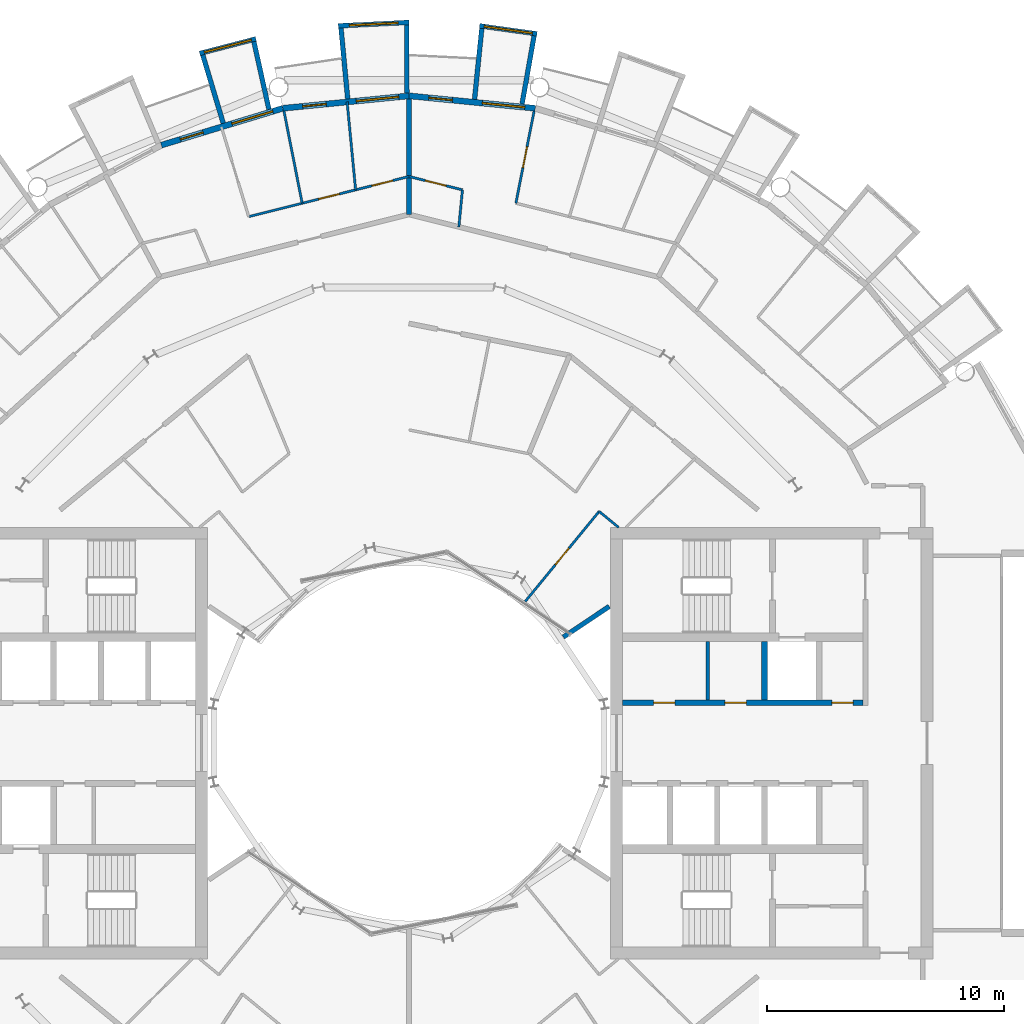
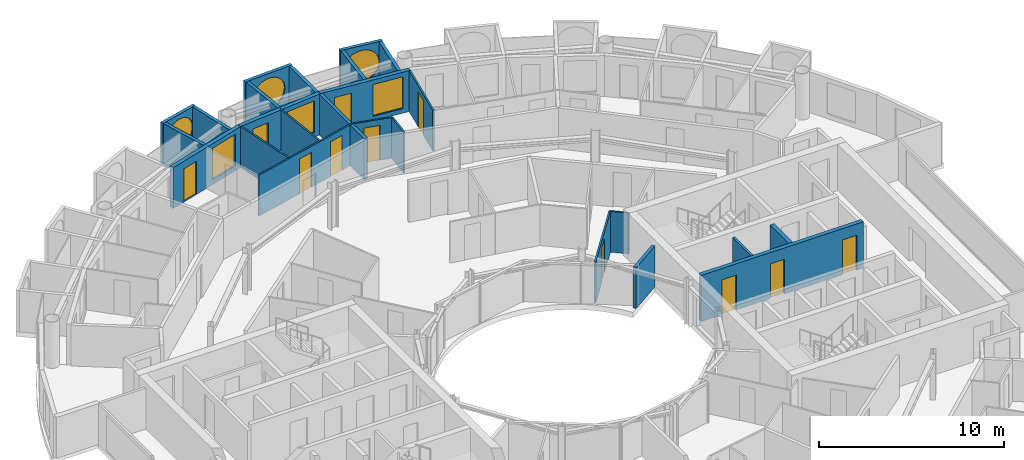
# One storey, part 21 of 27: 25 walls, 11 doors, 6 windows, 17 openings.
"""IFC4 building model written with IfcOpenShell, lengths in metres."""

from ifc_helpers import new_model, si_unit, direction, frame, frame_2d, origin, place, context, subcontext, project, spatial, rectangle, circle, extrude, material, layer, layer_set, type_object, element, fill, save


model = new_model("IFC4")

# Units and contexts
model_context = context("Model", 3, precision=1e-05, world=origin(), true_north=direction((0.0, 1.0)))
body_context = subcontext(model_context, "Body", "Model", "MODEL_VIEW")
ifc_project = project(units=[si_unit("LENGTHUNIT", "METRE"), si_unit("AREAUNIT", "SQUARE_METRE"), si_unit("VOLUMEUNIT", "CUBIC_METRE"), si_unit("PLANEANGLEUNIT", "RADIAN"), si_unit("MASSUNIT", "GRAM", prefix="KILO")], contexts=[model_context])

# Site, building, storey
site_placement = place(None, origin())
site = spatial("IfcSite", under=ifc_project, at=site_placement, CompositionType="ELEMENT")
building_placement = place(site_placement, origin())
building = spatial("IfcBuilding", under=site, at=building_placement, Name="Maasbend Ring Residences", CompositionType="ELEMENT")
storey_placement = place(building_placement, frame((0.0, 0.0, 164.64990234375)))
storey = spatial("IfcBuildingStorey", under=building, at=storey_placement, Name="L47", CompositionType="ELEMENT", Elevation=164.64990234375)

# Wall, openings, doors
ifc_material_1 = material(Name="Concrete C60/75", Category="concrete")
ifc_layer_1 = layer(ifc_material_1, 0.25)
ifc_layer_set_1 = layer_set([ifc_layer_1], Name="Concrete C60/75")
wall_type_1 = type_object("IfcWallType", Name="CORE WALL 250 C60/75", PredefinedType="SHEAR", material=ifc_layer_set_1)
wall_1_placement = place(storey_placement, frame((9.0, 1.699951171875, 0.0), z_axis=(0.0, 0.0, 1.0), x_axis=(1.0, 0.0, 0.0)))
wall_1 = element("IfcWall", 1, at=wall_1_placement, inside=storey, type_object=wall_type_1, Name="L47 core E wall SPN", PredefinedType="SHEAR", context=body_context, shape_type="SweptSolid", body=[
    extrude(rectangle(XDim=10.14990234375, YDim=0.25, at=frame_2d((5.074951171875, 0.0))), origin(), (0.0, 0.0, 1.0), 3.050048828125),
])
opening_1_placement = place(wall_1_placement, frame((1.3125, 0.0, 0.0)))
opening_1 = element("IfcOpeningElement", 2, at=opening_1_placement, cuts=wall_1, Name="Opening D-E4706", PredefinedType="OPENING", context=body_context, shape_type="SweptSolid", body=[
    extrude(rectangle(XDim=0.89990234375, YDim=2.300048828125, at=frame_2d((0.449951171875, 1.14990234375))), frame((0.0, 0.135009765625, 0.0), z_axis=(0.0, -1.0, 0.0), x_axis=(1.0, 0.0, 0.0)), (0.0, 0.0, 1.0), 0.27001953125),
])
opening_2_placement = place(wall_1_placement, frame((4.324951171875, 0.0, 0.0)))
opening_2 = element("IfcOpeningElement", 3, at=opening_2_placement, cuts=wall_1, Name="Opening D-E4707", PredefinedType="OPENING", context=body_context, shape_type="SweptSolid", body=[
    extrude(rectangle(XDim=0.89990234375, YDim=2.300048828125, at=frame_2d((0.449951171875, 1.14990234375))), frame((0.0, 0.135009765625, 0.0), z_axis=(0.0, -1.0, 0.0), x_axis=(1.0, 0.0, 0.0)), (0.0, 0.0, 1.0), 0.27001953125),
])
opening_3_placement = place(wall_1_placement, frame((8.83740234375, 0.0, 0.0)))
opening_3 = element("IfcOpeningElement", 4, at=opening_3_placement, cuts=wall_1, Name="Opening D-E4708", PredefinedType="OPENING", context=body_context, shape_type="SweptSolid", body=[
    extrude(rectangle(XDim=0.89990234375, YDim=2.300048828125, at=frame_2d((0.449951171875, 1.14990234375))), frame((0.0, 0.135009765625, 0.0), z_axis=(0.0, -1.0, 0.0), x_axis=(1.0, 0.0, 0.0)), (0.0, 0.0, 1.0), 0.27001953125),
])
ifc_material_2 = material(Name="Steel, powder coated", Category="steel")
door_type_1 = type_object("IfcDoorType", Name="ROOM DOOR 900 X 2300 FD30S", OperationType="NOTDEFINED", PredefinedType="DOOR", material=ifc_material_2)
door_1_placement = place(opening_1_placement, origin())
door_1 = element("IfcDoor", 5, at=door_1_placement, inside=storey, type_object=door_type_1, Name="Room door L47", OperationType="SINGLE_SWING_RIGHT", OverallHeight=2.300048828125, OverallWidth=0.89990234375, PredefinedType="DOOR", context=body_context, shape_type="SweptSolid", body=[
    extrude(rectangle(XDim=0.89990234375, YDim=2.300048828125, at=frame_2d((0.449951171875, 1.14990234375))), frame((0.0, 0.02490234375, 0.0), z_axis=(0.0, -1.0, 0.0), x_axis=(1.0, 0.0, 0.0)), (0.0, 0.0, 1.0), 0.050048828125),
])
fill(opening_1, door_1)
door_2_placement = place(opening_2_placement, origin())
door_2 = element("IfcDoor", 6, at=door_2_placement, inside=storey, type_object=door_type_1, Name="Room door L47", OperationType="SINGLE_SWING_RIGHT", OverallHeight=2.300048828125, OverallWidth=0.89990234375, PredefinedType="DOOR", context=body_context, shape_type="SweptSolid", body=[
    extrude(rectangle(XDim=0.89990234375, YDim=2.300048828125, at=frame_2d((0.449951171875, 1.14990234375))), frame((0.0, 0.02490234375, 0.0), z_axis=(0.0, -1.0, 0.0), x_axis=(1.0, 0.0, 0.0)), (0.0, 0.0, 1.0), 0.050048828125),
])
fill(opening_2, door_2)
door_3_placement = place(opening_3_placement, origin())
door_3 = element("IfcDoor", 7, at=door_3_placement, inside=storey, type_object=door_type_1, Name="Room door L47", OperationType="SINGLE_SWING_LEFT", OverallHeight=2.300048828125, OverallWidth=0.89990234375, PredefinedType="DOOR", context=body_context, shape_type="SweptSolid", body=[
    extrude(rectangle(XDim=0.89990234375, YDim=2.300048828125, at=frame_2d((0.449951171875, 1.14990234375))), frame((0.0, 0.02490234375, 0.0), z_axis=(0.0, -1.0, 0.0), x_axis=(1.0, 0.0, 0.0)), (0.0, 0.0, 1.0), 0.050048828125),
])
fill(opening_3, door_3)

# Wall, opening, window
ifc_material_3 = material(Name="Pale anodised aluminium panel", Category="aluminium")
ifc_layer_2 = layer(ifc_material_3, 0.199951171875)
ifc_layer_set_2 = layer_set([ifc_layer_2], Name="EW-BOX")
wall_type_2 = type_object("IfcWallType", Name="EW-BOX", PredefinedType="SOLIDWALL", material=ifc_layer_set_2)
wall_2_placement = place(storey_placement, frame((5.39794921875, 29.9169921875, -0.02978515625), z_axis=(0.0, 0.0, 1.0), x_axis=(-0.990462016113, 0.137786046596, 0.0)))
wall_2 = element("IfcWall", 8, at=wall_2_placement, inside=storey, type_object=wall_type_2, Name="Box front N09", PredefinedType="SOLIDWALL", context=body_context, shape_type="SweptSolid", body=[
    extrude(rectangle(XDim=2.4453125, YDim=0.199951171875, at=frame_2d((1.22265625, 0.0))), origin(), (0.0, 0.0, 1.0), 2.72998046875),
])
opening_4_placement = place(wall_2_placement, frame((0.182861328125, 0.0, 0.330078125)))
opening_4 = element("IfcOpeningElement", 9, at=opening_4_placement, cuts=wall_2, Name="Opening W-RD", PredefinedType="OPENING", context=body_context, shape_type="SweptSolid", body=[
    extrude(circle(Radius=1.0400390625, at=frame_2d((1.0400390625, 1.0400390625))), frame((0.0, 0.10986328125, 0.0), z_axis=(0.0, -1.0, 0.0), x_axis=(1.0, 0.0, 0.0)), (0.0, 0.0, 1.0), 0.219970703125),
])
ifc_material_4 = material(Name="Aluminium and clear glass", Category="aluminium")
window_type_1 = type_object("IfcWindowType", Name="W-RD", PartitioningType="SINGLE_PANEL", PredefinedType="WINDOW", material=ifc_material_4)
window_1_placement = place(opening_4_placement, origin())
window_1 = element("IfcWindow", 10, at=window_1_placement, inside=storey, type_object=window_type_1, Name="Round window N09", OverallHeight=2.080078125, OverallWidth=2.080078125, PartitioningType="SINGLE_PANEL", PredefinedType="WINDOW", context=body_context, shape_type="SweptSolid", body=[
    extrude(circle(Radius=1.0400390625, at=frame_2d((1.0400390625, 1.0400390625))), frame((0.0, 0.030029296875, 0.0), z_axis=(0.0, -1.0, 0.0), x_axis=(1.0, 0.0, 0.0)), (0.0, 0.0, 1.0), 0.06005859375),
])
fill(opening_4, window_1)

# Walls
wall_3_placement = place(storey_placement, frame((4.76904296875, 26.9560546875, -0.02978515625), z_axis=(0.0, 0.0, 1.0), x_axis=(0.174056778901, 0.984735618183, 0.0)))
element("IfcWall", 11, at=wall_3_placement, inside=storey, type_object=wall_type_2, Name="Box side wall N09 left", PredefinedType="SOLIDWALL", context=body_context, shape_type="SweptSolid", body=[
    extrude(rectangle(XDim=2.924560546875, YDim=0.199951171875, at=frame_2d((1.46240234375, 0.0))), origin(), (0.0, 0.0, 1.0), 2.72998046875),
])
wall_4_placement = place(storey_placement, frame((2.763916015625, 27.153076171875, -0.02978515625), z_axis=(0.0, 0.0, 1.0), x_axis=(0.101505487237, 0.994834979311, 0.0)))
element("IfcWall", 12, at=wall_4_placement, inside=storey, type_object=wall_type_2, Name="Box side wall N09 right", PredefinedType="SOLIDWALL", context=body_context, shape_type="SweptSolid", body=[
    extrude(rectangle(XDim=3.006591796875, YDim=0.199951171875, at=frame_2d((1.50341796875, 0.0))), origin(), (0.0, 0.0, 1.0), 2.72998046875),
])

# Wall, opening, window
wall_5_placement = place(storey_placement, frame((0.0048828125, 30.39990234375, -0.02978515625), z_axis=(0.0, 0.0, 1.0), x_axis=(-0.998794083011, -0.049095618353, 0.0)))
wall_5 = element("IfcWall", 13, at=wall_5_placement, inside=storey, type_object=wall_type_2, Name="Box front N11", PredefinedType="SOLIDWALL", context=body_context, shape_type="SweptSolid", body=[
    extrude(rectangle(XDim=2.99365234375, YDim=0.199951171875, at=frame_2d((1.496826171875, 0.0))), origin(), (0.0, 0.0, 1.0), 2.72998046875),
])
opening_5_placement = place(wall_5_placement, frame((0.45654296875, 0.0, 0.330078125)))
opening_5 = element("IfcOpeningElement", 14, at=opening_5_placement, cuts=wall_5, Name="Opening W-RD", PredefinedType="OPENING", context=body_context, shape_type="SweptSolid", body=[
    extrude(circle(Radius=1.0400390625, at=frame_2d((1.0400390625, 1.0400390625))), frame((0.0, 0.10986328125, 0.0), z_axis=(0.0, -1.0, 0.0), x_axis=(1.0, 0.0, 0.0)), (0.0, 0.0, 1.0), 0.219970703125),
])
window_2_placement = place(opening_5_placement, origin())
window_2 = element("IfcWindow", 15, at=window_2_placement, inside=storey, type_object=window_type_1, Name="Round window N11", OverallHeight=2.080078125, OverallWidth=2.080078125, PartitioningType="SINGLE_PANEL", PredefinedType="WINDOW", context=body_context, shape_type="SweptSolid", body=[
    extrude(circle(Radius=1.0400390625, at=frame_2d((1.0400390625, 1.0400390625))), frame((0.0, 0.030029296875, 0.0), z_axis=(0.0, -1.0, 0.0), x_axis=(1.0, 0.0, 0.0)), (0.0, 0.0, 1.0), 0.06005859375),
])
fill(opening_5, window_2)

# Walls
wall_6_placement = place(storey_placement, frame((-0.090087890625, 27.4169921875, -0.02978515625), z_axis=(0.0, 0.0, 1.0), x_axis=(-0.00347308367, 0.999993968827, 0.0)))
element("IfcWall", 16, at=wall_6_placement, inside=storey, type_object=wall_type_2, Name="Box side wall N11 left", PredefinedType="SOLIDWALL", context=body_context, shape_type="SweptSolid", body=[
    extrude(rectangle(XDim=2.882080078125, YDim=0.199951171875, at=frame_2d((1.44091796875, 0.0))), origin(), (0.0, 0.0, 1.0), 2.72998046875),
])
wall_7_placement = place(storey_placement, frame((-2.5859375, 27.1708984375, -0.02978515625), z_axis=(0.0, 0.0, 1.0), x_axis=(-0.094548432284, 0.995520262954, 0.0)))
element("IfcWall", 17, at=wall_7_placement, inside=storey, type_object=wall_type_2, Name="Box side wall N11 right", PredefinedType="SOLIDWALL", context=body_context, shape_type="SweptSolid", body=[
    extrude(rectangle(XDim=3.005615234375, YDim=0.199951171875, at=frame_2d((1.5029296875, 0.0))), origin(), (0.0, 0.0, 1.0), 2.72998046875),
])

# Wall, opening, window
wall_8_placement = place(storey_placement, frame((-6.4609375, 29.705078125, -0.02978515625), z_axis=(0.0, 0.0, 1.0), x_axis=(-0.96789536872, -0.251353446784, 0.0)))
wall_8 = element("IfcWall", 18, at=wall_8_placement, inside=storey, type_object=wall_type_2, Name="Box front N13", PredefinedType="SOLIDWALL", context=body_context, shape_type="SweptSolid", body=[
    extrude(rectangle(XDim=2.44677734375, YDim=0.199951171875, at=frame_2d((1.223388671875, 0.0))), origin(), (0.0, 0.0, 1.0), 2.72998046875),
])
opening_6_placement = place(wall_8_placement, frame((0.182861328125, 0.0, 0.330078125)))
opening_6 = element("IfcOpeningElement", 19, at=opening_6_placement, cuts=wall_8, Name="Opening W-RD", PredefinedType="OPENING", context=body_context, shape_type="SweptSolid", body=[
    extrude(circle(Radius=1.0400390625, at=frame_2d((1.0400390625, 1.0400390625))), frame((0.0, 0.10986328125, 0.0), z_axis=(0.0, -1.0, 0.0), x_axis=(1.0, 0.0, 0.0)), (0.0, 0.0, 1.0), 0.219970703125),
])
window_3_placement = place(opening_6_placement, origin())
window_3 = element("IfcWindow", 20, at=window_3_placement, inside=storey, type_object=window_type_1, Name="Round window N13", OverallHeight=2.080078125, OverallWidth=2.080078125, PartitioningType="SINGLE_PANEL", PredefinedType="WINDOW", context=body_context, shape_type="SweptSolid", body=[
    extrude(circle(Radius=1.0400390625, at=frame_2d((1.0400390625, 1.0400390625))), frame((0.0, 0.030029296875, 0.0), z_axis=(0.0, -1.0, 0.0), x_axis=(1.0, 0.0, 0.0)), (0.0, 0.0, 1.0), 0.06005859375),
])
fill(opening_6, window_3)

# Walls
wall_9_placement = place(storey_placement, frame((-5.908935546875, 26.72900390625, -0.02978515625), z_axis=(0.0, 0.0, 1.0), x_axis=(-0.216409053917, 0.976302781612, 0.0)))
element("IfcWall", 21, at=wall_9_placement, inside=storey, type_object=wall_type_2, Name="Box side wall N13 left", PredefinedType="SOLIDWALL", context=body_context, shape_type="SweptSolid", body=[
    extrude(rectangle(XDim=2.92529296875, YDim=0.199951171875, at=frame_2d((1.462646484375, 0.0))), origin(), (0.0, 0.0, 1.0), 2.72998046875),
])
wall_10_placement = place(storey_placement, frame((-7.8369140625, 26.14404296875, -0.02978515625), z_axis=(0.0, 0.0, 1.0), x_axis=(-0.287064767992, 0.957911174889, 0.0)))
element("IfcWall", 22, at=wall_10_placement, inside=storey, type_object=wall_type_2, Name="Box side wall N13 right", PredefinedType="SOLIDWALL", context=body_context, shape_type="SweptSolid", body=[
    extrude(rectangle(XDim=3.00634765625, YDim=0.199951171875, at=frame_2d((1.503173828125, 0.0))), origin(), (0.0, 0.0, 1.0), 2.72998046875),
])

# Wall, openings, door, window
ifc_material_5 = material(Name="Aluminium clad insulated panel", Category="aluminium")
ifc_layer_3 = layer(ifc_material_5, 0.25)
ifc_layer_set_3 = layer_set([ifc_layer_3], Name="EW-GL")
wall_type_3 = type_object("IfcWallType", Name="EW-GL", PredefinedType="SOLIDWALL", material=ifc_layer_set_3)
wall_11_placement = place(storey_placement, frame((5.325927734375, 26.77490234375, 0.0), z_axis=(0.0, 0.0, 1.0), x_axis=(-0.995173996315, 0.098126026407, 0.0)))
wall_11 = element("IfcWall", 23, at=wall_11_placement, inside=storey, type_object=wall_type_3, Name="External wall N05", PredefinedType="SOLIDWALL", context=body_context, shape_type="SweptSolid", body=[
    extrude(rectangle(XDim=5.351806640625, YDim=0.25, at=frame_2d((2.67578125, 0.0))), origin(), (0.0, 0.0, 1.0), 2.7001953125),
])
opening_7_placement = place(wall_11_placement, frame((0.441162109375, 0.0, 0.300048828125)))
opening_7 = element("IfcOpeningElement", 24, at=opening_7_placement, cuts=wall_11, Name="Opening W-BX", PredefinedType="OPENING", context=body_context, shape_type="SweptSolid", body=[
    extrude(rectangle(XDim=1.800048828125, YDim=2.10009765625, at=frame_2d((0.89990234375, 1.050048828125))), frame((0.0, 0.135009765625, 0.0), z_axis=(0.0, -1.0, 0.0), x_axis=(1.0, 0.0, 0.0)), (0.0, 0.0, 1.0), 0.27001953125),
])
opening_8_placement = place(wall_11_placement, frame((3.510498046875, 0.0, 0.0)))
opening_8 = element("IfcOpeningElement", 25, at=opening_8_placement, cuts=wall_11, Name="Opening D-LG", PredefinedType="OPENING", context=body_context, shape_type="SweptSolid", body=[
    extrude(rectangle(XDim=1.0, YDim=2.199951171875, at=frame_2d((0.5, 1.10009765625))), frame((0.0, 0.135009765625, 0.0), z_axis=(0.0, -1.0, 0.0), x_axis=(1.0, 0.0, 0.0)), (0.0, 0.0, 1.0), 0.27001953125),
])
ifc_material_6 = material(Name="Aluminium and clear glass", Category="aluminium")
door_type_2 = type_object("IfcDoorType", Name="D-LG", OperationType="SINGLE_SWING_LEFT", PredefinedType="DOOR", material=ifc_material_6)
door_4_placement = place(opening_8_placement, origin())
door_4 = element("IfcDoor", 26, at=door_4_placement, inside=storey, type_object=door_type_2, Name="Loggia door N10", OperationType="SINGLE_SWING_LEFT", OverallHeight=2.199951171875, OverallWidth=1.0, PredefinedType="DOOR", context=body_context, shape_type="SweptSolid", body=[
    extrude(rectangle(XDim=1.0, YDim=2.199951171875, at=frame_2d((0.5, 1.10009765625))), frame((0.0, 0.02490234375, 0.0), z_axis=(0.0, -1.0, 0.0), x_axis=(1.0, 0.0, 0.0)), (0.0, 0.0, 1.0), 0.050048828125),
])
fill(opening_8, door_4)
ifc_material_7 = material(Name="Aluminium and clear glass", Category="aluminium")
window_type_2 = type_object("IfcWindowType", Name="W-BX", PartitioningType="DOUBLE_PANEL_VERTICAL", PredefinedType="WINDOW", material=ifc_material_7)
window_4_placement = place(opening_7_placement, origin())
window_4 = element("IfcWindow", 27, at=window_4_placement, inside=storey, type_object=window_type_2, Name="Window N09 room to box", OverallHeight=2.10009765625, OverallWidth=1.800048828125, PartitioningType="SINGLE_PANEL", PredefinedType="WINDOW", context=body_context, shape_type="SweptSolid", body=[
    extrude(rectangle(XDim=1.800048828125, YDim=2.10009765625, at=frame_2d((0.89990234375, 1.050048828125))), frame((0.0, 0.030029296875, 0.0), z_axis=(0.0, -1.0, 0.0), x_axis=(1.0, 0.0, 0.0)), (0.0, 0.0, 1.0), 0.06005859375),
])
fill(opening_7, window_4)

wall_12_placement = place(storey_placement, frame((0.0, 27.300048828125, 0.0), z_axis=(0.0, 0.0, 1.0), x_axis=(-0.995173996315, -0.098126026407, 0.0)))
wall_12 = element("IfcWall", 28, at=wall_12_placement, inside=storey, type_object=wall_type_3, Name="External wall N06", PredefinedType="SOLIDWALL", context=body_context, shape_type="SweptSolid", body=[
    extrude(rectangle(XDim=5.351806640625, YDim=0.25, at=frame_2d((2.67578125, 0.0))), origin(), (0.0, 0.0, 1.0), 2.7001953125),
])
opening_9_placement = place(wall_12_placement, frame((0.441162109375, 0.0, 0.300048828125)))
opening_9 = element("IfcOpeningElement", 29, at=opening_9_placement, cuts=wall_12, Name="Opening W-BX", PredefinedType="OPENING", context=body_context, shape_type="SweptSolid", body=[
    extrude(rectangle(XDim=1.800048828125, YDim=2.10009765625, at=frame_2d((0.89990234375, 1.050048828125))), frame((0.0, 0.135009765625, 0.0), z_axis=(0.0, -1.0, 0.0), x_axis=(1.0, 0.0, 0.0)), (0.0, 0.0, 1.0), 0.27001953125),
])
opening_10_placement = place(wall_12_placement, frame((3.510498046875, 0.0, 0.0)))
opening_10 = element("IfcOpeningElement", 30, at=opening_10_placement, cuts=wall_12, Name="Opening D-LG", PredefinedType="OPENING", context=body_context, shape_type="SweptSolid", body=[
    extrude(rectangle(XDim=1.0, YDim=2.199951171875, at=frame_2d((0.5, 1.10009765625))), frame((0.0, 0.135009765625, 0.0), z_axis=(0.0, -1.0, 0.0), x_axis=(1.0, 0.0, 0.0)), (0.0, 0.0, 1.0), 0.27001953125),
])
door_5_placement = place(opening_10_placement, origin())
door_5 = element("IfcDoor", 31, at=door_5_placement, inside=storey, type_object=door_type_2, Name="Loggia door N12", OperationType="SINGLE_SWING_LEFT", OverallHeight=2.199951171875, OverallWidth=1.0, PredefinedType="DOOR", context=body_context, shape_type="SweptSolid", body=[
    extrude(rectangle(XDim=1.0, YDim=2.199951171875, at=frame_2d((0.5, 1.10009765625))), frame((0.0, 0.02490234375, 0.0), z_axis=(0.0, -1.0, 0.0), x_axis=(1.0, 0.0, 0.0)), (0.0, 0.0, 1.0), 0.050048828125),
])
fill(opening_10, door_5)
window_5_placement = place(opening_9_placement, origin())
window_5 = element("IfcWindow", 32, at=window_5_placement, inside=storey, type_object=window_type_2, Name="Window N11 room to box", OverallHeight=2.10009765625, OverallWidth=1.800048828125, PartitioningType="SINGLE_PANEL", PredefinedType="WINDOW", context=body_context, shape_type="SweptSolid", body=[
    extrude(rectangle(XDim=1.800048828125, YDim=2.10009765625, at=frame_2d((0.89990234375, 1.050048828125))), frame((0.0, 0.030029296875, 0.0), z_axis=(0.0, -1.0, 0.0), x_axis=(1.0, 0.0, 0.0)), (0.0, 0.0, 1.0), 0.06005859375),
])
fill(opening_9, window_5)

wall_13_placement = place(storey_placement, frame((-5.325927734375, 26.77490234375, 0.0), z_axis=(0.0, 0.0, 1.0), x_axis=(-0.956965678721, -0.290201119486, 0.0)))
wall_13 = element("IfcWall", 33, at=wall_13_placement, inside=storey, type_object=wall_type_3, Name="External wall N07", PredefinedType="SOLIDWALL", context=body_context, shape_type="SweptSolid", body=[
    extrude(rectangle(XDim=5.351318359375, YDim=0.25, at=frame_2d((2.67578125, 0.0))), origin(), (0.0, 0.0, 1.0), 2.7001953125),
])
opening_11_placement = place(wall_13_placement, frame((0.441162109375, 0.0, 0.300048828125)))
opening_11 = element("IfcOpeningElement", 34, at=opening_11_placement, cuts=wall_13, Name="Opening W-BX", PredefinedType="OPENING", context=body_context, shape_type="SweptSolid", body=[
    extrude(rectangle(XDim=1.800048828125, YDim=2.10009765625, at=frame_2d((0.89990234375, 1.050048828125))), frame((0.0, 0.135009765625, 0.0), z_axis=(0.0, -1.0, 0.0), x_axis=(1.0, 0.0, 0.0)), (0.0, 0.0, 1.0), 0.27001953125),
])
opening_12_placement = place(wall_13_placement, frame((3.510498046875, 0.0, 0.0)))
opening_12 = element("IfcOpeningElement", 35, at=opening_12_placement, cuts=wall_13, Name="Opening D-LG", PredefinedType="OPENING", context=body_context, shape_type="SweptSolid", body=[
    extrude(rectangle(XDim=1.0, YDim=2.199951171875, at=frame_2d((0.5, 1.10009765625))), frame((0.0, 0.135009765625, 0.0), z_axis=(0.0, -1.0, 0.0), x_axis=(1.0, 0.0, 0.0)), (0.0, 0.0, 1.0), 0.27001953125),
])
door_6_placement = place(opening_12_placement, origin())
door_6 = element("IfcDoor", 36, at=door_6_placement, inside=storey, type_object=door_type_2, Name="Loggia door N14", OperationType="SINGLE_SWING_LEFT", OverallHeight=2.199951171875, OverallWidth=1.0, PredefinedType="DOOR", context=body_context, shape_type="SweptSolid", body=[
    extrude(rectangle(XDim=1.0, YDim=2.199951171875, at=frame_2d((0.5, 1.10009765625))), frame((0.0, 0.02490234375, 0.0), z_axis=(0.0, -1.0, 0.0), x_axis=(1.0, 0.0, 0.0)), (0.0, 0.0, 1.0), 0.050048828125),
])
fill(opening_12, door_6)
window_6_placement = place(opening_11_placement, origin())
window_6 = element("IfcWindow", 37, at=window_6_placement, inside=storey, type_object=window_type_2, Name="Window N13 room to box", OverallHeight=2.10009765625, OverallWidth=1.800048828125, PartitioningType="SINGLE_PANEL", PredefinedType="WINDOW", context=body_context, shape_type="SweptSolid", body=[
    extrude(rectangle(XDim=1.800048828125, YDim=2.10009765625, at=frame_2d((0.89990234375, 1.050048828125))), frame((0.0, 0.030029296875, 0.0), z_axis=(0.0, -1.0, 0.0), x_axis=(1.0, 0.0, 0.0)), (0.0, 0.0, 1.0), 0.06005859375),
])
fill(opening_11, window_6)

# Walls
ifc_material_8 = material(Name="Gypsum board on steel studs", Category="steel")
ifc_layer_4 = layer(ifc_material_8, 0.10009765625)
ifc_layer_set_4 = layer_set([ifc_layer_4], Name="PARTITION 100 GYPSUM")
wall_type_4 = type_object("IfcWallType", Name="PARTITION 100 GYPSUM", PredefinedType="PARTITIONING", material=ifc_layer_set_4)
wall_14_placement = place(storey_placement, frame((-5.27587890625, 26.657958984375, 0.0), z_axis=(0.0, 0.0, 1.0), x_axis=(0.194030211642, -0.980995554001, 0.0)))
element("IfcWall", 38, at=wall_14_placement, inside=storey, type_object=wall_type_4, Name="U-L47-w054", PredefinedType="PARTITIONING", context=body_context, shape_type="SweptSolid", body=[
    extrude(rectangle(XDim=3.962158203125, YDim=0.10009765625, at=frame_2d((1.98095703125, 0.0))), origin(), (0.0, 0.0, 1.0), 2.7001953125),
])
wall_15_placement = place(storey_placement, frame((-2.612060546875, 27.049072265625, 0.0), z_axis=(0.0, 0.0, 1.0), x_axis=(0.09626981452, -0.995355274669, 0.0)))
element("IfcWall", 39, at=wall_15_placement, inside=storey, type_object=wall_type_4, Name="U-L47-w058", PredefinedType="PARTITIONING", context=body_context, shape_type="SweptSolid", body=[
    extrude(rectangle(XDim=3.73046875, YDim=0.10009765625, at=frame_2d((1.865234375, 0.0))), origin(), (0.0, 0.0, 1.0), 2.7001953125),
])
wall_16_placement = place(storey_placement, frame((2.10205078125, 21.77294921875, 0.0), z_axis=(0.0, 0.0, 1.0), x_axis=(0.09608568494, 0.995373066317, 0.0)))
element("IfcWall", 40, at=wall_16_placement, inside=storey, type_object=wall_type_4, Name="U-L47-w062", PredefinedType="PARTITIONING", context=body_context, shape_type="SweptSolid", body=[
    extrude(rectangle(XDim=1.5703125, YDim=0.10009765625, at=frame_2d((0.78515625, 0.0))), origin(), (0.0, 0.0, 1.0), 2.7001953125),
])

# Wall, opening, door
wall_17_placement = place(storey_placement, frame((4.507080078125, 22.77099609375, 0.0), z_axis=(0.0, 0.0, 1.0), x_axis=(0.194030211642, 0.980995554001, 0.0)))
wall_17 = element("IfcWall", 41, at=wall_17_placement, inside=storey, type_object=wall_type_4, Name="U-L47-w067", PredefinedType="PARTITIONING", context=body_context, shape_type="SweptSolid", body=[
    extrude(rectangle(XDim=3.962158203125, YDim=0.10009765625, at=frame_2d((1.98095703125, 0.0))), origin(), (0.0, 0.0, 1.0), 2.7001953125),
])
opening_13_placement = place(wall_17_placement, frame((1.531005859375, 0.0, 0.0)))
opening_13 = element("IfcOpeningElement", 42, at=opening_13_placement, cuts=wall_17, Name="Opening D-4708", PredefinedType="OPENING", context=body_context, shape_type="SweptSolid", body=[
    extrude(rectangle(XDim=0.89990234375, YDim=2.300048828125, at=frame_2d((0.449951171875, 1.14990234375))), frame((0.0, 0.06005859375, 0.0), z_axis=(0.0, -1.0, 0.0), x_axis=(1.0, 0.0, 0.0)), (0.0, 0.0, 1.0), 0.1201171875),
])
ifc_material_9 = material(Name="Timber, painted", Category="wood")
door_type_3 = type_object("IfcDoorType", Name="INTERNAL DOOR 900 X 2300", OperationType="NOTDEFINED", PredefinedType="DOOR", material=ifc_material_9)
door_7_placement = place(opening_13_placement, origin())
door_7 = element("IfcDoor", 43, at=door_7_placement, inside=storey, type_object=door_type_3, Name="D-4708", OperationType="SINGLE_SWING_RIGHT", OverallHeight=2.300048828125, OverallWidth=0.89990234375, PredefinedType="DOOR", context=body_context, shape_type="SweptSolid", body=[
    extrude(rectangle(XDim=0.89990234375, YDim=2.300048828125, at=frame_2d((0.449951171875, 1.14990234375))), frame((0.0, 0.02490234375, 0.0), z_axis=(0.0, -1.0, 0.0), x_axis=(1.0, 0.0, 0.0)), (0.0, 0.0, 1.0), 0.050048828125),
])
fill(opening_13, door_7)

wall_18_placement = place(storey_placement, frame((4.89794921875, 5.968017578125, 0.0), z_axis=(0.0, 0.0, 1.0), x_axis=(0.634401778971, 0.773003481776, 0.0)))
wall_18 = element("IfcWall", 44, at=wall_18_placement, inside=storey, type_object=wall_type_4, Name="U-L47-w069", PredefinedType="PARTITIONING", context=body_context, shape_type="SweptSolid", body=[
    extrude(rectangle(XDim=4.919677734375, YDim=0.10009765625, at=frame_2d((2.4599609375, 0.0))), origin(), (0.0, 0.0, 1.0), 2.7001953125),
])
opening_14_placement = place(wall_18_placement, frame((2.010009765625, 0.0, 0.0)))
opening_14 = element("IfcOpeningElement", 45, at=opening_14_placement, cuts=wall_18, Name="Opening D-4724", PredefinedType="OPENING", context=body_context, shape_type="SweptSolid", body=[
    extrude(rectangle(XDim=0.89990234375, YDim=2.300048828125, at=frame_2d((0.449951171875, 1.14990234375))), frame((0.0, 0.06005859375, 0.0), z_axis=(0.0, -1.0, 0.0), x_axis=(1.0, 0.0, 0.0)), (0.0, 0.0, 1.0), 0.1201171875),
])
door_8_placement = place(opening_14_placement, origin())
door_8 = element("IfcDoor", 46, at=door_8_placement, inside=storey, type_object=door_type_3, Name="D-4724", OperationType="SINGLE_SWING_RIGHT", OverallHeight=2.300048828125, OverallWidth=0.89990234375, PredefinedType="DOOR", context=body_context, shape_type="SweptSolid", body=[
    extrude(rectangle(XDim=0.89990234375, YDim=2.300048828125, at=frame_2d((0.449951171875, 1.14990234375))), frame((0.0, 0.02490234375, 0.0), z_axis=(0.0, -1.0, 0.0), x_axis=(1.0, 0.0, 0.0)), (0.0, 0.0, 1.0), 0.050048828125),
])
fill(opening_14, door_8)

# Wall
wall_19_placement = place(storey_placement, frame((8.01904296875, 9.77099609375, 0.0), z_axis=(0.0, 0.0, 1.0), x_axis=(0.772730269942, -0.634734534995, 0.0)))
element("IfcWall", 47, at=wall_19_placement, inside=storey, type_object=wall_type_4, Name="U-L47-w099", PredefinedType="PARTITIONING", context=body_context, shape_type="SweptSolid", body=[
    extrude(rectangle(XDim=1.06494140625, YDim=0.10009765625, at=frame_2d((0.532470703125, 0.0))), origin(), (0.0, 0.0, 1.0), 2.7001953125),
])

# Wall, openings, doors
wall_20_placement = place(storey_placement, frame((-6.760009765625, 22.2060546875, 0.0), z_axis=(0.0, 0.0, 1.0), x_axis=(0.970070358667, 0.242824008772, 0.0)))
wall_20 = element("IfcWall", 48, at=wall_20_placement, inside=storey, type_object=wall_type_4, Name="U-L47-w115", PredefinedType="PARTITIONING", context=body_context, shape_type="SweptSolid", body=[
    extrude(rectangle(XDim=6.9716796875, YDim=0.10009765625, at=frame_2d((3.48583984375, 0.0))), origin(), (0.0, 0.0, 1.0), 2.7001953125),
])
opening_15_placement = place(wall_20_placement, frame((3.037109375, 0.0, 0.0)))
opening_15 = element("IfcOpeningElement", 49, at=opening_15_placement, cuts=wall_20, Name="Opening D-4714", PredefinedType="OPENING", context=body_context, shape_type="SweptSolid", body=[
    extrude(rectangle(XDim=0.89990234375, YDim=2.300048828125, at=frame_2d((0.449951171875, 1.14990234375))), frame((0.0, 0.06005859375, 0.0), z_axis=(0.0, -1.0, 0.0), x_axis=(1.0, 0.0, 0.0)), (0.0, 0.0, 1.0), 0.1201171875),
])
opening_16_placement = place(wall_20_placement, frame((5.35693359375, 0.0, 0.0)))
opening_16 = element("IfcOpeningElement", 50, at=opening_16_placement, cuts=wall_20, Name="Opening D-4715", PredefinedType="OPENING", context=body_context, shape_type="SweptSolid", body=[
    extrude(rectangle(XDim=0.89990234375, YDim=2.300048828125, at=frame_2d((0.449951171875, 1.14990234375))), frame((0.0, 0.06005859375, 0.0), z_axis=(0.0, -1.0, 0.0), x_axis=(1.0, 0.0, 0.0)), (0.0, 0.0, 1.0), 0.1201171875),
])
door_9_placement = place(opening_15_placement, origin())
door_9 = element("IfcDoor", 51, at=door_9_placement, inside=storey, type_object=door_type_3, Name="D-4714", OperationType="SINGLE_SWING_RIGHT", OverallHeight=2.300048828125, OverallWidth=0.89990234375, PredefinedType="DOOR", context=body_context, shape_type="SweptSolid", body=[
    extrude(rectangle(XDim=0.89990234375, YDim=2.300048828125, at=frame_2d((0.449951171875, 1.14990234375))), frame((0.0, 0.02490234375, 0.0), z_axis=(0.0, -1.0, 0.0), x_axis=(1.0, 0.0, 0.0)), (0.0, 0.0, 1.0), 0.050048828125),
])
fill(opening_15, door_9)
door_10_placement = place(opening_16_placement, origin())
door_10 = element("IfcDoor", 52, at=door_10_placement, inside=storey, type_object=door_type_3, Name="D-4715", OperationType="SINGLE_SWING_RIGHT", OverallHeight=2.300048828125, OverallWidth=0.89990234375, PredefinedType="DOOR", context=body_context, shape_type="SweptSolid", body=[
    extrude(rectangle(XDim=0.89990234375, YDim=2.300048828125, at=frame_2d((0.449951171875, 1.14990234375))), frame((0.0, 0.02490234375, 0.0), z_axis=(0.0, -1.0, 0.0), x_axis=(1.0, 0.0, 0.0)), (0.0, 0.0, 1.0), 0.050048828125),
])
fill(opening_16, door_10)

# Wall, opening, door
wall_21_placement = place(storey_placement, frame((0.0029296875, 23.89892578125, 0.0), z_axis=(0.0, 0.0, 1.0), x_axis=(0.970074448647, -0.242807668911, 0.0)))
wall_21 = element("IfcWall", 53, at=wall_21_placement, inside=storey, type_object=wall_type_4, Name="U-L47-w116", PredefinedType="PARTITIONING", context=body_context, shape_type="SweptSolid", body=[
    extrude(rectangle(XDim=2.32275390625, YDim=0.10009765625, at=frame_2d((1.161376953125, 0.0))), origin(), (0.0, 0.0, 1.0), 2.7001953125),
])
opening_17_placement = place(wall_21_placement, frame((0.7080078125, 0.0, 0.0)))
opening_17 = element("IfcOpeningElement", 54, at=opening_17_placement, cuts=wall_21, Name="Opening D-4707", PredefinedType="OPENING", context=body_context, shape_type="SweptSolid", body=[
    extrude(rectangle(XDim=0.89990234375, YDim=2.300048828125, at=frame_2d((0.449951171875, 1.14990234375))), frame((0.0, 0.06005859375, 0.0), z_axis=(0.0, -1.0, 0.0), x_axis=(1.0, 0.0, 0.0)), (0.0, 0.0, 1.0), 0.1201171875),
])
door_11_placement = place(opening_17_placement, origin())
door_11 = element("IfcDoor", 55, at=door_11_placement, inside=storey, type_object=door_type_3, Name="D-4707", OperationType="SINGLE_SWING_LEFT", OverallHeight=2.300048828125, OverallWidth=0.89990234375, PredefinedType="DOOR", context=body_context, shape_type="SweptSolid", body=[
    extrude(rectangle(XDim=0.89990234375, YDim=2.300048828125, at=frame_2d((0.449951171875, 1.14990234375))), frame((0.0, 0.02490234375, 0.0), z_axis=(0.0, -1.0, 0.0), x_axis=(1.0, 0.0, 0.0)), (0.0, 0.0, 1.0), 0.050048828125),
])
fill(opening_17, door_11)

# Walls
ifc_material_10 = material(Name="Gypsum board on steel studs", Category="steel")
ifc_layer_5 = layer(ifc_material_10, 0.14990234375)
ifc_layer_set_5 = layer_set([ifc_layer_5], Name="PARTITION 150 EI 60")
wall_type_5 = type_object("IfcWallType", Name="PARTITION 150 EI 60", PredefinedType="PARTITIONING", material=ifc_layer_set_5)
wall_22_placement = place(storey_placement, frame((12.60009765625, 1.824951171875, 0.0), z_axis=(0.0, 0.0, 1.0), x_axis=(0.0, 1.0, 0.0)))
element("IfcWall", 56, at=wall_22_placement, inside=storey, type_object=wall_type_5, Name="L47 core E wall PRN1260", PredefinedType="PARTITIONING", context=body_context, shape_type="SweptSolid", body=[
    extrude(rectangle(XDim=2.449951171875, YDim=0.14990234375, at=frame_2d((1.22509765625, 0.0))), origin(), (0.0, 0.0, 1.0), 2.7001953125),
])
ifc_material_11 = material(Name="Concrete C30/37", Category="concrete")
ifc_layer_6 = layer(ifc_material_11, 0.199951171875)
ifc_layer_set_6 = layer_set([ifc_layer_6], Name="Concrete C30/37")
wall_type_6 = type_object("IfcWallType", Name="PARTY WALL 200 CONCRETE", PredefinedType="PARTITIONING", material=ifc_layer_set_6)
wall_23_placement = place(storey_placement, frame((0.0, 22.300048828125, 0.0), z_axis=(0.0, 0.0, 1.0), x_axis=(0.0, 1.0, 0.0)))
element("IfcWall", 57, at=wall_23_placement, inside=storey, type_object=wall_type_6, Name="U-L47-w061", PredefinedType="PARTITIONING", context=body_context, shape_type="SweptSolid", body=[
    extrude(rectangle(XDim=4.875, YDim=0.199951171875, at=frame_2d((2.4375, 0.0))), origin(), (0.0, 0.0, 1.0), 2.7001953125),
])
wall_24_placement = place(storey_placement, frame((6.512939453125, 4.471923828125, 0.0), z_axis=(0.0, 0.0, 1.0), x_axis=(0.83133816625, 0.555766905579, 0.0)))
element("IfcWall", 58, at=wall_24_placement, inside=storey, type_object=wall_type_6, Name="U-L47-w093", PredefinedType="PARTITIONING", context=body_context, shape_type="SweptSolid", body=[
    extrude(rectangle(XDim=2.322998046875, YDim=0.199951171875, at=frame_2d((1.16162109375, 0.0))), origin(), (0.0, 0.0, 1.0), 2.7001953125),
])
ifc_material_12 = material(Name="Concrete C30/37", Category="concrete")
ifc_layer_7 = layer(ifc_material_12, 0.25)
ifc_layer_set_7 = layer_set([ifc_layer_7], Name="Concrete C30/37")
wall_type_7 = type_object("IfcWallType", Name="SHAFT WALL 250 EI 120", PredefinedType="SOLIDWALL", material=ifc_layer_set_7)
wall_25_placement = place(storey_placement, frame((15.0, 1.824951171875, 0.0), z_axis=(0.0, 0.0, 1.0), x_axis=(0.0, 1.0, 0.0)))
element("IfcWall", 59, at=wall_25_placement, inside=storey, type_object=wall_type_7, Name="L47 core E wall D150N", PredefinedType="SOLIDWALL", context=body_context, shape_type="SweptSolid", body=[
    extrude(rectangle(XDim=2.449951171875, YDim=0.25, at=frame_2d((1.22509765625, 0.0))), origin(), (0.0, 0.0, 1.0), 2.7001953125),
])

save(model, "model.ifc")
